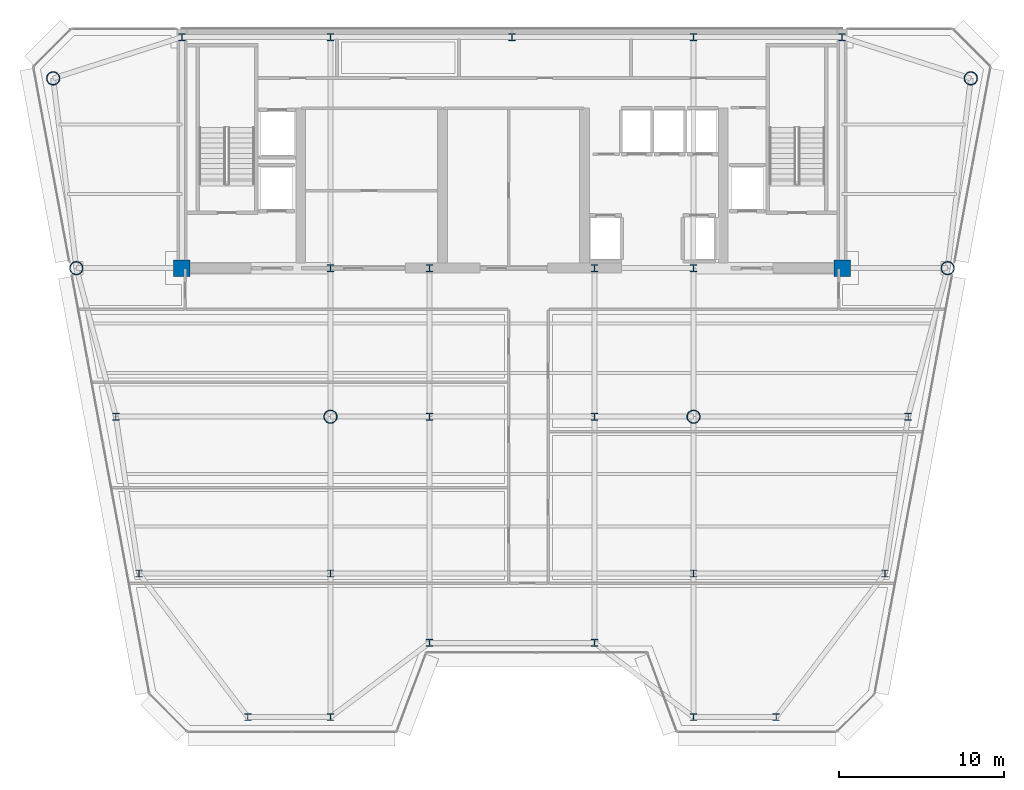
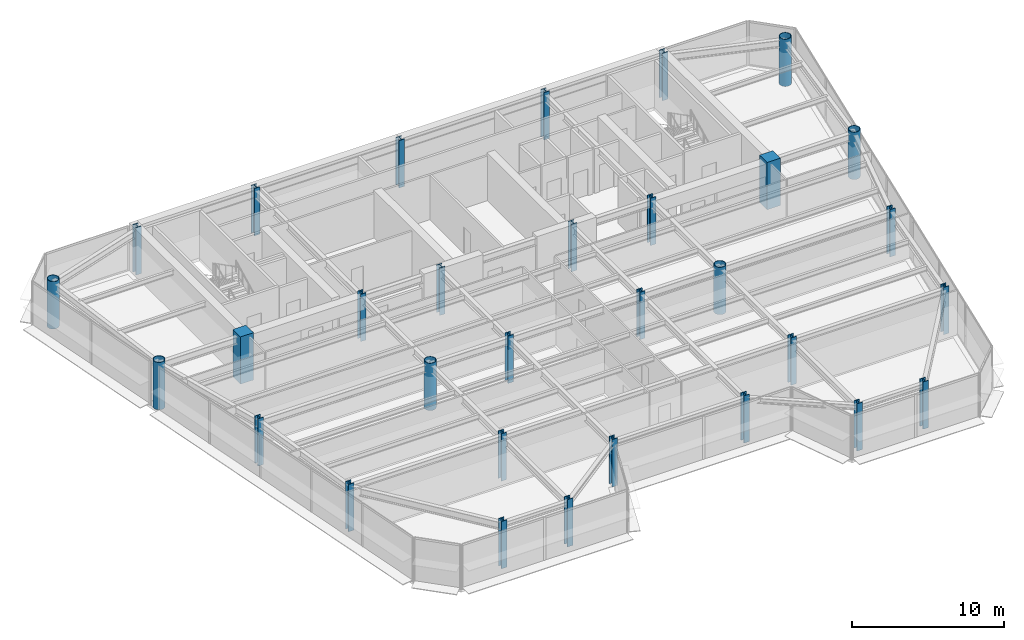
# One storey, part 1 of 16: 31 columns.
"""IFC4 building model written with IfcOpenShell, lengths in metres."""

from ifc_helpers import new_model, si_unit, direction, frame, origin, origin_2d, place, context, subcontext, project, spatial, rectangle, hollow_circle, i_section, extrude, source, transform, mapped, material, material_profile, profile_set, type_object, element, save


model = new_model("IFC4")

# Units and contexts
model_context = context("Model", 3, precision=1e-05, world=origin(), true_north=direction((0.0, 1.0)))
body_context = subcontext(model_context, "Body", "Model", "MODEL_VIEW")
ifc_project = project(units=[si_unit("LENGTHUNIT", "METRE"), si_unit("AREAUNIT", "SQUARE_METRE"), si_unit("VOLUMEUNIT", "CUBIC_METRE"), si_unit("PLANEANGLEUNIT", "RADIAN"), si_unit("MASSUNIT", "GRAM", prefix="KILO")], contexts=[model_context])

# Site, building, storey
site_placement = place(None, origin())
site = spatial("IfcSite", under=ifc_project, at=site_placement, CompositionType="ELEMENT")
building_placement = place(site_placement, origin())
building = spatial("IfcBuilding", under=site, at=building_placement, Name="Vaeldorn Concourse Tower", CompositionType="ELEMENT")
storey_placement = place(building_placement, frame((0.0, 0.0, 223.199951171875)))
storey = spatial("IfcBuildingStorey", under=building, at=storey_placement, Name="L57", CompositionType="ELEMENT", Elevation=223.199951171875)

# Columns
ifc_material_1 = material(Name="Concrete C50/60", Category="concrete")
ifc_material_profile_1 = material_profile(ifc_material_1, rectangle(XDim=1.0, YDim=1.0, at=origin_2d()), Name="RC 1000x1000")
ifc_profile_set_1 = profile_set([ifc_material_profile_1], Name="Concrete C50/60")
column_type_1 = type_object("IfcColumnType", Name="COL-RC1000", PredefinedType="COLUMN", material=ifc_profile_set_1)
shared_shape_1 = source(origin(), body_context, "Body", "SweptSolid", [
    extrude(rectangle(XDim=1.0, YDim=1.0, at=origin_2d()), origin(), (0.0, 0.0, 1.0), 3.800048828125),
])
for number, where, z_axis, x_axis, name in (
    (1, (14.0, 36.5, 0.0), (0.0, 0.0, 1.0), (1.0, 0.0, 0.0), "Column C-FC1 L57"),
    (2, (54.0, 36.5, 0.0), (0.0, 0.0, 1.0), (1.0, 0.0, 0.0), "Column C-FC6 L57"),
):
    element("IfcColumn", number, at=place(storey_placement, frame(where, z_axis=z_axis, x_axis=x_axis)), inside=storey, type_object=column_type_1, Name=name, PredefinedType="COLUMN", context=body_context, shape_type="MappedRepresentation", body=[
        mapped(shared_shape_1, transform((0.0, 0.0, 0.0), scale=1.0)),
    ])
ifc_material_2 = material(Name="Steel S460", Category="steel")
ifc_material_profile_2 = material_profile(ifc_material_2, i_section(OverallWidth=0.41796875, OverallDepth=0.455078125, WebThickness=0.0419921875, FlangeThickness=0.05810546875, FilletRadius=0.014892578125, at=origin_2d()), Name="HD 400x551")
ifc_profile_set_2 = profile_set([ifc_material_profile_2], Name="Steel S460")
column_type_2 = type_object("IfcColumnType", Name="COL-HD551", PredefinedType="COLUMN", material=ifc_profile_set_2)
shared_shape_2 = source(origin(), body_context, "Body", "SweptSolid", [
    extrude(i_section(OverallWidth=0.41796875, OverallDepth=0.455078125, WebThickness=0.0419921875, FlangeThickness=0.05810546875, FilletRadius=0.014892578125, at=origin_2d()), origin(), (0.0, 0.0, 1.0), 3.800048828125),
])
for number, where, z_axis, x_axis, name in (
    (3, (23.0, 36.5, 0.0), (0.0, 0.0, 1.0), (1.0, 0.0, 0.0), "Column C-FC2 L57"),
    (4, (29.0, 36.5, 0.0), (0.0, 0.0, 1.0), (1.0, 0.0, 0.0), "Column C-FC3 L57"),
    (5, (39.0, 36.5, 0.0), (0.0, 0.0, 1.0), (1.0, 0.0, 0.0), "Column C-FC4 L57"),
    (6, (45.0, 36.5, 0.0), (0.0, 0.0, 1.0), (1.0, 0.0, 0.0), "Column C-FC5 L57"),
    (7, (14.0, 50.5, 0.0), (0.0, 0.0, 1.0), (1.0, 0.0, 0.0), "Column C-HC1 L57"),
    (8, (23.0, 50.5, 0.0), (0.0, 0.0, 1.0), (1.0, 0.0, 0.0), "Column C-HC2 L57"),
    (9, (34.0, 50.5, 0.0), (0.0, 0.0, 1.0), (1.0, 0.0, 0.0), "Column C-HC3 L57"),
    (10, (45.0, 50.5, 0.0), (0.0, 0.0, 1.0), (1.0, 0.0, 0.0), "Column C-HC4 L57"),
    (11, (54.0, 50.5, 0.0), (0.0, 0.0, 1.0), (1.0, 0.0, 0.0), "Column C-HC5 L57"),
):
    element("IfcColumn", number, at=place(storey_placement, frame(where, z_axis=z_axis, x_axis=x_axis)), inside=storey, type_object=column_type_2, Name=name, PredefinedType="COLUMN", context=body_context, shape_type="MappedRepresentation", body=[
        mapped(shared_shape_2, transform((0.0, 0.0, 0.0), scale=1.0)),
    ])
ifc_material_profile_3 = material_profile(ifc_material_2, hollow_circle(Radius=0.406494140625, WallThickness=0.0400390625, at=origin_2d()), Name="CHS 813x40")
ifc_profile_set_3 = profile_set([ifc_material_profile_3], Name="Steel S460")
column_type_3 = type_object("IfcColumnType", Name="COL-CHS813", PredefinedType="COLUMN", material=ifc_profile_set_3)
shared_shape_3 = source(origin(), body_context, "Body", "SweptSolid", [
    extrude(hollow_circle(Radius=0.406494140625, WallThickness=0.0400390625, at=origin_2d()), origin(), (0.0, 0.0, 1.0), 3.800048828125),
])
for number, where, z_axis, x_axis, name in (
    (12, (6.199951171875, 48.0, 0.0), (0.0, 0.0, 1.0), (1.0, 0.0, 0.0), "Column C-NW1 L57"),
    (13, (7.60009765625, 36.5, 0.0), (0.0, 0.0, 1.0), (1.0, 0.0, 0.0), "Column C-NW2 L57"),
    (14, (61.800048828125, 48.0, 0.0), (0.0, 0.0, 1.0), (1.0, 0.0, 0.0), "Column C-NE1 L57"),
    (15, (60.39990234375, 36.5, 0.0), (0.0, 0.0, 1.0), (1.0, 0.0, 0.0), "Column C-NE2 L57"),
    (16, (23.0, 27.5, 0.0), (0.0, 0.0, 1.0), (1.0, 0.0, 0.0), "Column C-TW1 L57"),
    (17, (45.0, 27.5, 0.0), (0.0, 0.0, 1.0), (1.0, 0.0, 0.0), "Column C-TW4 L57"),
):
    element("IfcColumn", number, at=place(storey_placement, frame(where, z_axis=z_axis, x_axis=x_axis)), inside=storey, type_object=column_type_3, Name=name, PredefinedType="COLUMN", context=body_context, shape_type="MappedRepresentation", body=[
        mapped(shared_shape_3, transform((0.0, 0.0, 0.0), scale=1.0)),
    ])
ifc_material_3 = material(Name="Steel S355", Category="steel")
ifc_material_profile_4 = material_profile(ifc_material_3, i_section(OverallWidth=0.412109375, OverallDepth=0.43505859375, WebThickness=0.035888671875, FlangeThickness=0.050048828125, FilletRadius=0.014892578125, at=origin_2d()), Name="HD 400x463")
ifc_profile_set_4 = profile_set([ifc_material_profile_4], Name="Steel S355")
column_type_4 = type_object("IfcColumnType", Name="COL-HD463F", PredefinedType="COLUMN", material=ifc_profile_set_4)
shared_shape_4 = source(origin(), body_context, "Body", "SweptSolid", [
    extrude(i_section(OverallWidth=0.412109375, OverallDepth=0.43505859375, WebThickness=0.035888671875, FlangeThickness=0.050048828125, FilletRadius=0.014892578125, at=origin_2d()), origin(), (0.0, 0.0, 1.0), 3.800048828125),
])
for number, where, z_axis, x_axis, name in (
    (18, (10.0, 27.5, 0.0), (0.0, 0.0, 1.0), (1.0, 0.0, 0.0), "Column C-FLW1 L57"),
    (19, (11.39990234375, 18.0, 0.0), (0.0, 0.0, 1.0), (1.0, 0.0, 0.0), "Column C-FLW2 L57"),
    (20, (58.0, 27.5, 0.0), (0.0, 0.0, 1.0), (1.0, 0.0, 0.0), "Column C-FLE1 L57"),
    (21, (56.60009765625, 18.0, 0.0), (0.0, 0.0, 1.0), (1.0, 0.0, 0.0), "Column C-FLE2 L57"),
):
    element("IfcColumn", number, at=place(storey_placement, frame(where, z_axis=z_axis, x_axis=x_axis)), inside=storey, type_object=column_type_4, Name=name, PredefinedType="COLUMN", context=body_context, shape_type="MappedRepresentation", body=[
        mapped(shared_shape_4, transform((0.0, 0.0, 0.0), scale=1.0)),
    ])
ifc_material_profile_5 = material_profile(ifc_material_3, i_section(OverallWidth=0.412109375, OverallDepth=0.43505859375, WebThickness=0.035888671875, FlangeThickness=0.050048828125, FilletRadius=0.014892578125, at=origin_2d()), Name="HD 400x463")
ifc_profile_set_5 = profile_set([ifc_material_profile_5], Name="Steel S355")
column_type_5 = type_object("IfcColumnType", Name="COL-HD463T", PredefinedType="COLUMN", material=ifc_profile_set_5)
shared_shape_5 = source(origin(), body_context, "Body", "SweptSolid", [
    extrude(i_section(OverallWidth=0.412109375, OverallDepth=0.43505859375, WebThickness=0.035888671875, FlangeThickness=0.050048828125, FilletRadius=0.014892578125, at=origin_2d()), origin(), (0.0, 0.0, 1.0), 3.800048828125),
])
for number, where, z_axis, x_axis, name in (
    (22, (29.0, 27.5, 0.0), (0.0, 0.0, 1.0), (1.0, 0.0, 0.0), "Column C-TW2 L57"),
    (23, (39.0, 27.5, 0.0), (0.0, 0.0, 1.0), (1.0, 0.0, 0.0), "Column C-TW3 L57"),
    (24, (23.0, 18.0, 0.0), (0.0, 0.0, 1.0), (1.0, 0.0, 0.0), "Column C-TW5 L57"),
    (25, (45.0, 18.0, 0.0), (0.0, 0.0, 1.0), (1.0, 0.0, 0.0), "Column C-TW6 L57"),
    (26, (18.0, 9.300048828125, 0.0), (0.0, 0.0, 1.0), (1.0, 0.0, 0.0), "Column C-SF1 L57"),
    (27, (23.0, 9.300048828125, 0.0), (0.0, 0.0, 1.0), (1.0, 0.0, 0.0), "Column C-SF2 L57"),
    (28, (29.0, 13.800048828125, 0.0), (0.0, 0.0, 1.0), (1.0, 0.0, 0.0), "Column C-SF3 L57"),
    (29, (39.0, 13.800048828125, 0.0), (0.0, 0.0, 1.0), (1.0, 0.0, 0.0), "Column C-SF4 L57"),
    (30, (45.0, 9.300048828125, 0.0), (0.0, 0.0, 1.0), (1.0, 0.0, 0.0), "Column C-SF5 L57"),
    (31, (50.0, 9.300048828125, 0.0), (0.0, 0.0, 1.0), (1.0, 0.0, 0.0), "Column C-SF6 L57"),
):
    element("IfcColumn", number, at=place(storey_placement, frame(where, z_axis=z_axis, x_axis=x_axis)), inside=storey, type_object=column_type_5, Name=name, PredefinedType="COLUMN", context=body_context, shape_type="MappedRepresentation", body=[
        mapped(shared_shape_5, transform((0.0, 0.0, 0.0), scale=1.0)),
    ])

save(model, "model.ifc")
